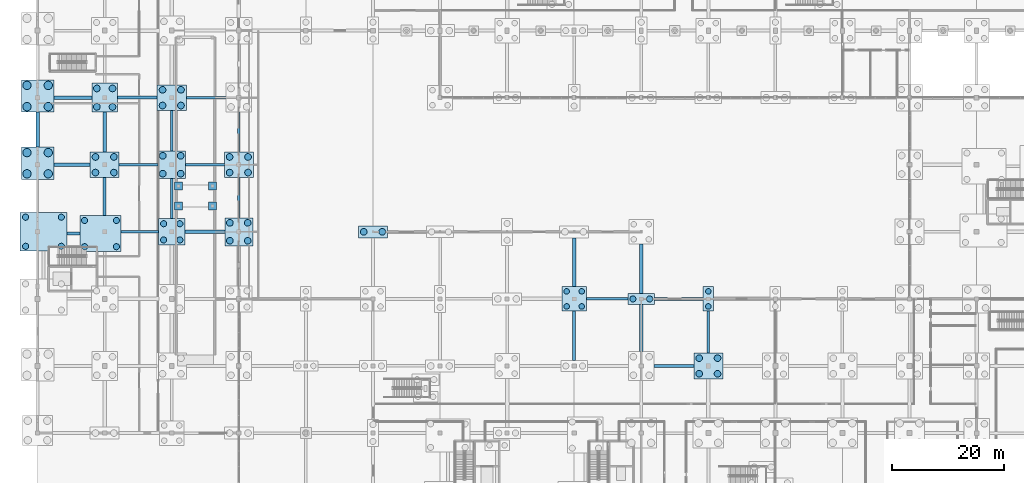
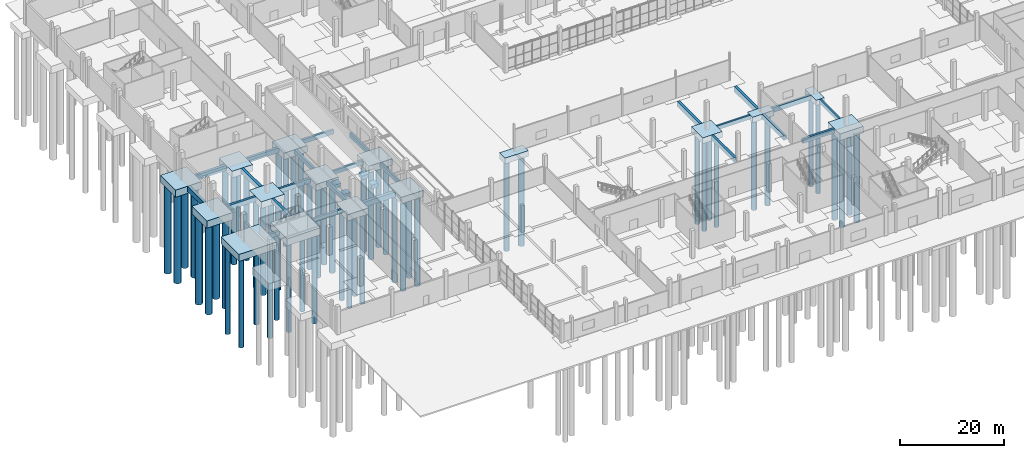
# One storey, part 4 of 117: 58 piles, 44 footings.
"""IFC4 building model written with IfcOpenShell, lengths in metres."""

from ifc_helpers import new_model, si_unit, direction, frame, origin, origin_2d, place, context, subcontext, project, spatial, rectangle, circle, extrude, material, material_profile, profile_set, type_object, element, save


model = new_model("IFC4")

# Units and contexts
model_context = context("Model", 3, precision=1e-05, world=origin(), true_north=direction((0.0, 1.0)))
body_context = subcontext(model_context, "Body", "Model", "MODEL_VIEW")
ifc_project = project(units=[si_unit("LENGTHUNIT", "METRE"), si_unit("AREAUNIT", "SQUARE_METRE"), si_unit("VOLUMEUNIT", "CUBIC_METRE"), si_unit("PLANEANGLEUNIT", "RADIAN"), si_unit("MASSUNIT", "GRAM", prefix="KILO")], contexts=[model_context])

# Site, building, storey
site_placement = place(None, origin())
site = spatial("IfcSite", under=ifc_project, at=site_placement, CompositionType="ELEMENT")
building_placement = place(site_placement, origin())
building = spatial("IfcBuilding", under=site, at=building_placement, Name="Kamomehara Wholesale Market", CompositionType="ELEMENT")
storey_placement = place(building_placement, origin())
storey = spatial("IfcBuildingStorey", under=building, at=storey_placement, Name="L00", CompositionType="ELEMENT", Elevation=0.0)

# Footings
ifc_material_1 = material(Name="Concrete Fc30 (C30/37)", Category="concrete")
footing_type_1 = type_object("IfcFootingType", Name="CAP-2PX-4800", PredefinedType="PILE_CAP", material=ifc_material_1)
footing_1_placement = place(storey_placement, frame((108.0, 60.0, -1.2998046875), z_axis=(0.0, 0.0, 1.0), x_axis=(1.0, 0.0, 0.0)))
element("IfcFooting", 1, at=footing_1_placement, inside=storey, type_object=footing_type_1, Name="Pile cap PC-06", PredefinedType="PILE_CAP", context=body_context, shape_type="SweptSolid", body=[
    extrude(rectangle(XDim=4.800048828125, YDim=2.0, at=origin_2d()), origin(), (0.0, 0.0, 1.0), 1.300048828125),
])
ifc_material_2 = material(Name="Concrete Fc30 (C30/37)", Category="concrete")
footing_type_2 = type_object("IfcFootingType", Name="CAP-2PX-5200", PredefinedType="PILE_CAP", material=ifc_material_2)
footing_2_placement = place(storey_placement, frame((60.0, 72.0, -1.35009765625), z_axis=(0.0, 0.0, 1.0), x_axis=(1.0, 0.0, 0.0)))
element("IfcFooting", 2, at=footing_2_placement, inside=storey, type_object=footing_type_2, Name="Pile cap PC-08", PredefinedType="PILE_CAP", context=body_context, shape_type="SweptSolid", body=[
    extrude(rectangle(XDim=5.199951171875, YDim=2.14990234375, at=origin_2d()), origin(), (0.0, 0.0, 1.0), 1.35009765625),
])
ifc_material_3 = material(Name="Concrete Fc30 (C30/37)", Category="concrete")
footing_type_3 = type_object("IfcFootingType", Name="CAP-2PY-4400", PredefinedType="PILE_CAP", material=ifc_material_3)
footing_3_placement = place(storey_placement, frame((120.0, 60.0, -1.25), z_axis=(0.0, 0.0, 1.0), x_axis=(1.0, 0.0, 0.0)))
element("IfcFooting", 3, at=footing_3_placement, inside=storey, type_object=footing_type_3, Name="Pile cap PC-05", PredefinedType="PILE_CAP", context=body_context, shape_type="SweptSolid", body=[
    extrude(rectangle(XDim=1.85009765625, YDim=4.39990234375, at=origin_2d()), origin(), (0.0, 0.0, 1.0), 1.25),
])
ifc_material_4 = material(Name="Concrete Fc30 (C30/37)", Category="concrete")
footing_type_4 = type_object("IfcFootingType", Name="CAP-4P-4400", PredefinedType="PILE_CAP", material=ifc_material_4)
footing_4_placement = place(storey_placement, frame((96.0, 60.0, -1.39990234375), z_axis=(0.0, 0.0, 1.0), x_axis=(1.0, 0.0, 0.0)))
element("IfcFooting", 4, at=footing_4_placement, inside=storey, type_object=footing_type_4, Name="Pile cap PC-10", PredefinedType="PILE_CAP", context=body_context, shape_type="SweptSolid", body=[
    extrude(rectangle(XDim=4.39990234375, YDim=4.39990234375, at=origin_2d()), origin(), (0.0, 0.0, 1.0), 1.39990234375),
])
ifc_material_5 = material(Name="Concrete Fc30 (C30/37)", Category="concrete")
footing_type_5 = type_object("IfcFootingType", Name="CAP-4P-4700", PredefinedType="PILE_CAP", material=ifc_material_5)
footing_5_placement = place(storey_placement, frame((24.0, 72.0, -1.4501953125), z_axis=(0.0, 0.0, 1.0), x_axis=(1.0, 0.0, 0.0)))
element("IfcFooting", 5, at=footing_5_placement, inside=storey, type_object=footing_type_5, Name="Pile cap PC-11", PredefinedType="PILE_CAP", context=body_context, shape_type="SweptSolid", body=[
    extrude(rectangle(XDim=4.699951171875, YDim=4.699951171875, at=origin_2d()), origin(), (0.0, 0.0, 1.0), 1.449951171875),
])
ifc_material_6 = material(Name="Concrete Fc30 (C30/37)", Category="concrete")
footing_type_6 = type_object("IfcFootingType", Name="CAP-4P-5000", PredefinedType="PILE_CAP", material=ifc_material_6)
for number, where, z_axis, x_axis, name in (
    (6, (24.0, 84.0, -1.5), (0.0, 0.0, 1.0), (1.0, 0.0, 0.0), "Pile cap PC-12"),
    (7, (36.0, 72.0, -1.5), (0.0, 0.0, 1.0), (1.0, 0.0, 0.0), "Pile cap PC-12"),
):
    element("IfcFooting", number, at=place(storey_placement, frame(where, z_axis=z_axis, x_axis=x_axis)), inside=storey, type_object=footing_type_6, Name=name, PredefinedType="PILE_CAP", context=body_context, shape_type="SweptSolid", body=[
        extrude(rectangle(XDim=5.0, YDim=5.0, at=origin_2d()), origin(), (0.0, 0.0, 1.0), 1.5),
    ])
ifc_material_7 = material(Name="Concrete Fc30 (C30/37)", Category="concrete")
footing_type_7 = type_object("IfcFootingType", Name="CAP-4P-5800", PredefinedType="PILE_CAP", material=ifc_material_7)
for number, where, z_axis, x_axis, name in (
    (8, (0.0, 84.27490234375, -1.7001953125), (0.0, 0.0, 1.0), (1.0, 0.0, 0.0), "Pile cap PC-14"),
    (9, (0.0, 96.300048828125, -1.7001953125), (0.0, 0.0, 1.0), (1.0, 0.0, 0.0), "Pile cap PC-14"),
):
    element("IfcFooting", number, at=place(storey_placement, frame(where, z_axis=z_axis, x_axis=x_axis)), inside=storey, type_object=footing_type_7, Name=name, PredefinedType="PILE_CAP", context=body_context, shape_type="SweptSolid", body=[
        extrude(rectangle(XDim=5.800048828125, YDim=5.800048828125, at=origin_2d()), origin(), (0.0, 0.0, 1.0), 1.699951171875),
    ])
ifc_material_8 = material(Name="Concrete Fc30 (C30/37)", Category="concrete")
footing_type_8 = type_object("IfcFootingType", Name="CAP-4PR-4600", PredefinedType="PILE_CAP", material=ifc_material_8)
footing_6_placement = place(storey_placement, frame((12.0, 96.0, -1.5498046875), z_axis=(0.0, 0.0, 1.0), x_axis=(1.0, 0.0, 0.0)))
element("IfcFooting", 10, at=footing_6_placement, inside=storey, type_object=footing_type_8, Name="Pile cap PC-16", PredefinedType="PILE_CAP", context=body_context, shape_type="SweptSolid", body=[
    extrude(rectangle(XDim=4.60009765625, YDim=5.199951171875, at=origin_2d()), origin(), (0.0, 0.0, 1.0), 1.550048828125),
])
ifc_material_9 = material(Name="Concrete Fc30 (C30/37)", Category="concrete")
footing_type_9 = type_object("IfcFootingType", Name="CAP-4PR-5200", PredefinedType="PILE_CAP", material=ifc_material_9)
for number, where, z_axis, x_axis, name in (
    (11, (12.0, 84.0, -1.5498046875), (0.0, 0.0, 1.0), (1.0, 0.0, 0.0), "Pile cap PC-15"),
    (12, (24.0, 96.0, -1.5498046875), (0.0, 0.0, 1.0), (1.0, 0.0, 0.0), "Pile cap PC-15"),
    (13, (36.0, 84.0, -1.5498046875), (0.0, 0.0, 1.0), (1.0, 0.0, 0.0), "Pile cap PC-15"),
    (14, (120.0, 48.0, -1.5498046875), (0.0, 0.0, 1.0), (1.0, 0.0, 0.0), "Pile cap PC-15"),
):
    element("IfcFooting", number, at=place(storey_placement, frame(where, z_axis=z_axis, x_axis=x_axis)), inside=storey, type_object=footing_type_9, Name=name, PredefinedType="PILE_CAP", context=body_context, shape_type="SweptSolid", body=[
        extrude(rectangle(XDim=5.199951171875, YDim=4.60009765625, at=origin_2d()), origin(), (0.0, 0.0, 1.0), 1.550048828125),
    ])
ifc_material_10 = material(Name="Concrete Fc30 (C30/37)", Category="concrete")
footing_type_10 = type_object("IfcFootingType", Name="CAP-CMB-740x640", PredefinedType="PILE_CAP", material=ifc_material_10)
footing_7_placement = place(storey_placement, frame((11.25, 71.68798828125, -1.64990234375), z_axis=(0.0, 0.0, 1.0), x_axis=(1.0, 0.0, 0.0)))
element("IfcFooting", 15, at=footing_7_placement, inside=storey, type_object=footing_type_10, Name="Pile cap PCC-74x64", PredefinedType="PILE_CAP", context=body_context, shape_type="SweptSolid", body=[
    extrude(rectangle(XDim=7.39990234375, YDim=6.39990234375, at=origin_2d()), origin(), (0.0, 0.0, 1.0), 1.64990234375),
])
ifc_material_11 = material(Name="Concrete Fc30 (C30/37)", Category="concrete")
footing_type_11 = type_object("IfcFootingType", Name="CAP-CMB-840x690", PredefinedType="PILE_CAP", material=ifc_material_11)
footing_8_placement = place(storey_placement, frame((1.050048828125, 72.01904296875, -1.64990234375), z_axis=(0.0, 0.0, 1.0), x_axis=(1.0, 0.0, 0.0)))
element("IfcFooting", 16, at=footing_8_placement, inside=storey, type_object=footing_type_11, Name="Pile cap PCC-84x69", PredefinedType="PILE_CAP", context=body_context, shape_type="SweptSolid", body=[
    extrude(rectangle(XDim=8.39990234375, YDim=6.89990234375, at=origin_2d()), origin(), (0.0, 0.0, 1.0), 1.64990234375),
])
ifc_material_12 = material(Name="Concrete Fc30 (C30/37)", Category="concrete")
ifc_material_profile_1 = material_profile(ifc_material_12, rectangle(XDim=0.449951171875, YDim=0.89990234375, at=origin_2d()), Name="RC-FTB-450x900")
ifc_profile_set_1 = profile_set([ifc_material_profile_1], Name="Concrete Fc30 (C30/37)")
footing_type_12 = type_object("IfcFootingType", Name="FTB-450x900", PredefinedType="FOOTING_BEAM", material=ifc_profile_set_1)
footing_9_placement = place(storey_placement, frame((14.951904296875, 72.0, -0.449951171875), z_axis=(1.0, 0.0, 0.0), x_axis=(0.0, 1.0, 0.0)))
element("IfcFooting", 17, at=footing_9_placement, inside=storey, type_object=footing_type_12, Name="Foundation tie beam 15", PredefinedType="FOOTING_BEAM", context=body_context, shape_type="SweptSolid", body=[
    extrude(rectangle(XDim=0.449951171875, YDim=0.89990234375, at=origin_2d()), origin(), (0.0, 0.0, 1.0), 6.696044921875),
])
footing_10_placement = place(storey_placement, frame((26.501953125, 84.0, -0.449951171875), z_axis=(1.0, 0.0, 0.0), x_axis=(0.0, 1.0, 0.0)))
element("IfcFooting", 18, at=footing_10_placement, inside=storey, type_object=footing_type_12, Name="Foundation tie beam 27", PredefinedType="FOOTING_BEAM", context=body_context, shape_type="SweptSolid", body=[
    extrude(rectangle(XDim=0.449951171875, YDim=0.89990234375, at=origin_2d()), origin(), (0.0, 0.0, 1.0), 6.89599609375),
])
footing_11_placement = place(storey_placement, frame((98.201904296875, 60.0, -0.449951171875), z_axis=(1.0, 0.0, 0.0), x_axis=(0.0, 1.0, 0.0)))
element("IfcFooting", 19, at=footing_11_placement, inside=storey, type_object=footing_type_12, Name="Foundation tie beam 95", PredefinedType="FOOTING_BEAM", context=body_context, shape_type="SweptSolid", body=[
    extrude(rectangle(XDim=0.449951171875, YDim=0.89990234375, at=origin_2d()), origin(), (0.0, 0.0, 1.0), 7.39599609375),
])
footing_12_placement = place(storey_placement, frame((24.0, 74.35205078125, -0.449951171875), z_axis=(0.0, 1.0, 0.0), x_axis=(-1.0, 0.0, 0.0)))
element("IfcFooting", 20, at=footing_12_placement, inside=storey, type_object=footing_type_12, Name="Foundation tie beam 223", PredefinedType="FOOTING_BEAM", context=body_context, shape_type="SweptSolid", body=[
    extrude(rectangle(XDim=0.449951171875, YDim=0.89990234375, at=origin_2d()), origin(), (0.0, 0.0, 1.0), 7.14599609375),
])
footing_13_placement = place(storey_placement, frame((36.0, 74.501953125, -0.449951171875), z_axis=(0.0, 1.0, 0.0), x_axis=(-1.0, 0.0, 0.0)))
element("IfcFooting", 21, at=footing_13_placement, inside=storey, type_object=footing_type_12, Name="Foundation tie beam 235", PredefinedType="FOOTING_BEAM", context=body_context, shape_type="SweptSolid", body=[
    extrude(rectangle(XDim=0.449951171875, YDim=0.89990234375, at=origin_2d()), origin(), (0.0, 0.0, 1.0), 7.196044921875),
])
footing_14_placement = place(storey_placement, frame((120.0, 50.302001953125, -0.449951171875), z_axis=(0.0, 1.0, 0.0), x_axis=(-1.0, 0.0, 0.0)))
element("IfcFooting", 22, at=footing_14_placement, inside=storey, type_object=footing_type_12, Name="Foundation tie beam 295", PredefinedType="FOOTING_BEAM", context=body_context, shape_type="SweptSolid", body=[
    extrude(rectangle(XDim=0.449951171875, YDim=0.89990234375, at=origin_2d()), origin(), (0.0, 0.0, 1.0), 7.49609375),
])
ifc_material_13 = material(Name="Concrete Fc30 (C30/37)", Category="concrete")
ifc_material_profile_2 = material_profile(ifc_material_13, rectangle(XDim=0.5, YDim=1.0, at=origin_2d()), Name="RC-FTB-500x1000")
ifc_profile_set_2 = profile_set([ifc_material_profile_2], Name="Concrete Fc30 (C30/37)")
footing_type_13 = type_object("IfcFootingType", Name="FTB-500x1000", PredefinedType="FOOTING_BEAM", material=ifc_profile_set_2)
footing_15_placement = place(storey_placement, frame((5.251953125, 71.72802734375, -0.5), z_axis=(1.0, 0.0, 0.0), x_axis=(0.0, 1.0, 0.0)))
element("IfcFooting", 23, at=footing_15_placement, inside=storey, type_object=footing_type_13, Name="Foundation tie beam 4", PredefinedType="FOOTING_BEAM", context=body_context, shape_type="SweptSolid", body=[
    extrude(rectangle(XDim=0.5, YDim=1.0, at=origin_2d()), origin(), (0.0, 0.0, 1.0), 2.296142578125),
])
footing_16_placement = place(storey_placement, frame((14.60205078125, 84.0, -0.5), z_axis=(1.0, 0.0, 0.0), x_axis=(0.0, 1.0, 0.0)))
element("IfcFooting", 24, at=footing_16_placement, inside=storey, type_object=footing_type_13, Name="Foundation tie beam 16", PredefinedType="FOOTING_BEAM", context=body_context, shape_type="SweptSolid", body=[
    extrude(rectangle(XDim=0.5, YDim=1.0, at=origin_2d()), origin(), (0.0, 0.0, 1.0), 6.89599609375),
])
for number, where, z_axis, x_axis, name in (
    (25, (26.60205078125, 96.0, -0.5), (1.0, 0.0, 0.0), (0.0, 1.0, 0.0), "Foundation tie beam 28"),
    (26, (110.302001953125, 48.0, -0.5), (1.0, 0.0, 0.0), (0.0, 1.0, 0.0), "Foundation tie beam 108"),
):
    element("IfcFooting", number, at=place(storey_placement, frame(where, z_axis=z_axis, x_axis=x_axis)), inside=storey, type_object=footing_type_13, Name=name, PredefinedType="FOOTING_BEAM", context=body_context, shape_type="SweptSolid", body=[
        extrude(rectangle(XDim=0.5, YDim=1.0, at=origin_2d()), origin(), (0.0, 0.0, 1.0), 7.095947265625),
    ])
footing_17_placement = place(storey_placement, frame((24.0, 86.501953125, -0.5), z_axis=(0.0, 1.0, 0.0), x_axis=(-1.0, 0.0, 0.0)))
element("IfcFooting", 27, at=footing_17_placement, inside=storey, type_object=footing_type_13, Name="Foundation tie beam 224", PredefinedType="FOOTING_BEAM", context=body_context, shape_type="SweptSolid", body=[
    extrude(rectangle(XDim=0.5, YDim=1.0, at=origin_2d()), origin(), (0.0, 0.0, 1.0), 7.196044921875),
])
footing_18_placement = place(storey_placement, frame((36.0, 86.302001953125, -0.5), z_axis=(0.0, 1.0, 0.0), x_axis=(-1.0, 0.0, 0.0)))
element("IfcFooting", 28, at=footing_18_placement, inside=storey, type_object=footing_type_13, Name="Foundation tie beam 236", PredefinedType="FOOTING_BEAM", context=body_context, shape_type="SweptSolid", body=[
    extrude(rectangle(XDim=0.5, YDim=1.0, at=origin_2d()), origin(), (0.0, 0.0, 1.0), 7.095947265625),
])
ifc_material_14 = material(Name="Concrete Fc30 (C30/37)", Category="concrete")
ifc_material_profile_3 = material_profile(ifc_material_14, rectangle(XDim=0.550048828125, YDim=1.10009765625, at=origin_2d()), Name="RC-FTB-550x1100")
ifc_profile_set_3 = profile_set([ifc_material_profile_3], Name="Concrete Fc30 (C30/37)")
footing_type_14 = type_object("IfcFootingType", Name="FTB-550x1100", PredefinedType="FOOTING_BEAM", material=ifc_profile_set_3)
footing_19_placement = place(storey_placement, frame((2.902099609375, 84.0, -0.550048828125), z_axis=(1.0, 0.0, 0.0), x_axis=(0.0, 1.0, 0.0)))
element("IfcFooting", 29, at=footing_19_placement, inside=storey, type_object=footing_type_14, Name="Foundation tie beam 5", PredefinedType="FOOTING_BEAM", context=body_context, shape_type="SweptSolid", body=[
    extrude(rectangle(XDim=0.550048828125, YDim=1.10009765625, at=origin_2d()), origin(), (0.0, 0.0, 1.0), 6.495849609375),
])
footing_20_placement = place(storey_placement, frame((14.302001953125, 96.0, -0.550048828125), z_axis=(1.0, 0.0, 0.0), x_axis=(0.0, 1.0, 0.0)))
element("IfcFooting", 30, at=footing_20_placement, inside=storey, type_object=footing_type_14, Name="Foundation tie beam 17", PredefinedType="FOOTING_BEAM", context=body_context, shape_type="SweptSolid", body=[
    extrude(rectangle(XDim=0.550048828125, YDim=1.10009765625, at=origin_2d()), origin(), (0.0, 0.0, 1.0), 7.095947265625),
])
footing_21_placement = place(storey_placement, frame((110.402099609375, 60.0, -0.550048828125), z_axis=(1.0, 0.0, 0.0), x_axis=(0.0, 1.0, 0.0)))
element("IfcFooting", 31, at=footing_21_placement, inside=storey, type_object=footing_type_14, Name="Foundation tie beam 109", PredefinedType="FOOTING_BEAM", context=body_context, shape_type="SweptSolid", body=[
    extrude(rectangle(XDim=0.550048828125, YDim=1.10009765625, at=origin_2d()), origin(), (0.0, 0.0, 1.0), 8.6708984375),
])
footing_22_placement = place(storey_placement, frame((12.0, 74.889892578125, -0.550048828125), z_axis=(0.0, 1.0, 0.0), x_axis=(-1.0, 0.0, 0.0)))
element("IfcFooting", 32, at=footing_22_placement, inside=storey, type_object=footing_type_14, Name="Foundation tie beam 213", PredefinedType="FOOTING_BEAM", context=body_context, shape_type="SweptSolid", body=[
    extrude(rectangle(XDim=0.550048828125, YDim=1.10009765625, at=origin_2d()), origin(), (0.0, 0.0, 1.0), 6.80810546875),
])
footing_23_placement = place(storey_placement, frame((96.0, 49.001953125, -0.550048828125), z_axis=(0.0, 1.0, 0.0), x_axis=(-1.0, 0.0, 0.0)))
element("IfcFooting", 33, at=footing_23_placement, inside=storey, type_object=footing_type_14, Name="Foundation tie beam 277", PredefinedType="FOOTING_BEAM", context=body_context, shape_type="SweptSolid", body=[
    extrude(rectangle(XDim=0.550048828125, YDim=1.10009765625, at=origin_2d()), origin(), (0.0, 0.0, 1.0), 8.796142578125),
])
footing_24_placement = place(storey_placement, frame((108.0, 50.60205078125, -0.550048828125), z_axis=(0.0, 1.0, 0.0), x_axis=(-1.0, 0.0, 0.0)))
element("IfcFooting", 34, at=footing_24_placement, inside=storey, type_object=footing_type_14, Name="Foundation tie beam 285", PredefinedType="FOOTING_BEAM", context=body_context, shape_type="SweptSolid", body=[
    extrude(rectangle(XDim=0.550048828125, YDim=1.10009765625, at=origin_2d()), origin(), (0.0, 0.0, 1.0), 8.39599609375),
])
ifc_material_15 = material(Name="Concrete Fc30 (C30/37)", Category="concrete")
ifc_material_profile_4 = material_profile(ifc_material_15, rectangle(XDim=0.60009765625, YDim=1.199951171875, at=origin_2d()), Name="RC-FTB-600x1200")
ifc_profile_set_4 = profile_set([ifc_material_profile_4], Name="Concrete Fc30 (C30/37)")
footing_type_15 = type_object("IfcFootingType", Name="FTB-600x1200", PredefinedType="FOOTING_BEAM", material=ifc_profile_set_4)
footing_25_placement = place(storey_placement, frame((2.902099609375, 96.0, -0.60009765625), z_axis=(1.0, 0.0, 0.0), x_axis=(0.0, 1.0, 0.0)))
element("IfcFooting", 35, at=footing_25_placement, inside=storey, type_object=footing_type_15, Name="Foundation tie beam 6", PredefinedType="FOOTING_BEAM", context=body_context, shape_type="SweptSolid", body=[
    extrude(rectangle(XDim=0.60009765625, YDim=1.199951171875, at=origin_2d()), origin(), (0.0, 0.0, 1.0), 6.7958984375),
])
footing_26_placement = place(storey_placement, frame((26.35205078125, 72.0, -0.60009765625), z_axis=(1.0, 0.0, 0.0), x_axis=(0.0, 1.0, 0.0)))
element("IfcFooting", 36, at=footing_26_placement, inside=storey, type_object=footing_type_15, Name="Foundation tie beam 26", PredefinedType="FOOTING_BEAM", context=body_context, shape_type="SweptSolid", body=[
    extrude(rectangle(XDim=0.60009765625, YDim=1.199951171875, at=origin_2d()), origin(), (0.0, 0.0, 1.0), 7.14599609375),
])
footing_27_placement = place(storey_placement, frame((0.0, 87.177001953125, -0.60009765625), z_axis=(0.0, 1.0, 0.0), x_axis=(-1.0, 0.0, 0.0)))
element("IfcFooting", 37, at=footing_27_placement, inside=storey, type_object=footing_type_15, Name="Foundation tie beam 206", PredefinedType="FOOTING_BEAM", context=body_context, shape_type="SweptSolid", body=[
    extrude(rectangle(XDim=0.60009765625, YDim=1.199951171875, at=origin_2d()), origin(), (0.0, 0.0, 1.0), 6.220947265625),
])
footing_28_placement = place(storey_placement, frame((12.0, 86.302001953125, -0.60009765625), z_axis=(0.0, 1.0, 0.0), x_axis=(-1.0, 0.0, 0.0)))
element("IfcFooting", 38, at=footing_28_placement, inside=storey, type_object=footing_type_15, Name="Foundation tie beam 214", PredefinedType="FOOTING_BEAM", context=body_context, shape_type="SweptSolid", body=[
    extrude(rectangle(XDim=0.60009765625, YDim=1.199951171875, at=origin_2d()), origin(), (0.0, 0.0, 1.0), 7.095947265625),
])
footing_29_placement = place(storey_placement, frame((96.0, 62.201904296875, -0.60009765625), z_axis=(0.0, 1.0, 0.0), x_axis=(-1.0, 0.0, 0.0)))
element("IfcFooting", 39, at=footing_29_placement, inside=storey, type_object=footing_type_15, Name="Foundation tie beam 278", PredefinedType="FOOTING_BEAM", context=body_context, shape_type="SweptSolid", body=[
    extrude(rectangle(XDim=0.60009765625, YDim=1.199951171875, at=origin_2d()), origin(), (0.0, 0.0, 1.0), 8.72119140625),
])
footing_30_placement = place(storey_placement, frame((108.0, 61.001953125, -0.60009765625), z_axis=(0.0, 1.0, 0.0), x_axis=(-1.0, 0.0, 0.0)))
element("IfcFooting", 40, at=footing_30_placement, inside=storey, type_object=footing_type_15, Name="Foundation tie beam 286", PredefinedType="FOOTING_BEAM", context=body_context, shape_type="SweptSolid", body=[
    extrude(rectangle(XDim=0.60009765625, YDim=1.199951171875, at=origin_2d()), origin(), (0.0, 0.0, 1.0), 8.796142578125),
])
ifc_material_16 = material(Name="Concrete Fc30 (C30/37)", Category="concrete")
footing_type_16 = type_object("IfcFootingType", Name="PAD-COL-1400", PredefinedType="PAD_FOOTING", material=ifc_material_16)
for number, where, z_axis, x_axis, name in (
    (41, (25.199951171875, 76.60009765625, -0.89990234375), (0.0, 0.0, 1.0), (1.0, 0.0, 0.0), "Ramp landing column footing 25.76"),
    (42, (25.199951171875, 80.199951171875, -0.89990234375), (0.0, 0.0, 1.0), (1.0, 0.0, 0.0), "Ramp landing column footing 25.80"),
    (43, (31.300048828125, 76.60009765625, -0.89990234375), (0.0, 0.0, 1.0), (1.0, 0.0, 0.0), "Ramp landing column footing 31.76"),
    (44, (31.300048828125, 80.199951171875, -0.89990234375), (0.0, 0.0, 1.0), (1.0, 0.0, 0.0), "Ramp landing column footing 31.80"),
):
    element("IfcFooting", number, at=place(storey_placement, frame(where, z_axis=z_axis, x_axis=x_axis)), inside=storey, type_object=footing_type_16, Name=name, PredefinedType="PAD_FOOTING", context=body_context, shape_type="SweptSolid", body=[
        extrude(rectangle(XDim=1.39990234375, YDim=1.39990234375, at=origin_2d()), origin(), (0.0, 0.0, 1.0), 0.89990234375),
    ])

# Piles
ifc_material_17 = material(Name="Concrete Fc30 (C30/37)", Category="concrete")
ifc_material_profile_5 = material_profile(ifc_material_17, circle(Radius=0.5, at=origin_2d()), Name="RC-PILE-D1000")
ifc_profile_set_5 = profile_set([ifc_material_profile_5], Name="Concrete Fc30 (C30/37)")
pile_type_1 = type_object("IfcPileType", Name="PILE-D1000", PredefinedType="BORED", material=ifc_profile_set_5)
for number, where, z_axis, x_axis, name in (
    (45, (94.64990234375, 58.64990234375, -1.300048828125), (0.0, 0.0, -1.0), (1.0, 0.0, 0.0), "Bored pile 108.323"),
    (46, (97.35009765625, 58.64990234375, -1.300048828125), (0.0, 0.0, -1.0), (1.0, 0.0, 0.0), "Bored pile 108.324"),
    (47, (94.64990234375, 61.35009765625, -1.300048828125), (0.0, 0.0, -1.0), (1.0, 0.0, 0.0), "Bored pile 108.325"),
    (48, (97.35009765625, 61.35009765625, -1.300048828125), (0.0, 0.0, -1.0), (1.0, 0.0, 0.0), "Bored pile 108.326"),
):
    element("IfcPile", number, at=place(storey_placement, frame(where, z_axis=z_axis, x_axis=x_axis)), inside=storey, type_object=pile_type_1, Name=name, PredefinedType="BORED", context=body_context, shape_type="SweptSolid", body=[
        extrude(circle(Radius=0.5, at=origin_2d()), origin(), (0.0, 0.0, 1.0), 21.199951171875),
    ])
for number, where, z_axis, x_axis, name in (
    (49, (120.0, 58.64990234375, -1.14990234375), (0.0, 0.0, -1.0), (1.0, 0.0, 0.0), "Bored pile 136.393"),
    (50, (120.0, 61.35009765625, -1.14990234375), (0.0, 0.0, -1.0), (1.0, 0.0, 0.0), "Bored pile 136.394"),
):
    element("IfcPile", number, at=place(storey_placement, frame(where, z_axis=z_axis, x_axis=x_axis)), inside=storey, type_object=pile_type_1, Name=name, PredefinedType="BORED", context=body_context, shape_type="SweptSolid", body=[
        extrude(circle(Radius=0.5, at=origin_2d()), origin(), (0.0, 0.0, 1.0), 21.35009765625),
    ])
ifc_material_18 = material(Name="Concrete Fc30 (C30/37)", Category="concrete")
ifc_material_profile_6 = material_profile(ifc_material_18, circle(Radius=0.550048828125, at=origin_2d()), Name="RC-PILE-D1100")
ifc_profile_set_6 = profile_set([ifc_material_profile_6], Name="Concrete Fc30 (C30/37)")
pile_type_2 = type_object("IfcPileType", Name="PILE-D1100", PredefinedType="BORED", material=ifc_profile_set_6)
for number, where, z_axis, x_axis, name in (
    (51, (-2.14990234375, 69.4189453125, -1.550048828125), (0.0, 0.0, -1.0), (1.0, 0.0, 0.0), "Bored pile 4.13"),
    (52, (4.25, 69.4189453125, -1.550048828125), (0.0, 0.0, -1.0), (1.0, 0.0, 0.0), "Bored pile 4.14"),
    (53, (-2.14990234375, 74.618896484375, -1.550048828125), (0.0, 0.0, -1.0), (1.0, 0.0, 0.0), "Bored pile 4.15"),
    (54, (4.25, 74.618896484375, -1.550048828125), (0.0, 0.0, -1.0), (1.0, 0.0, 0.0), "Bored pile 4.16"),
    (55, (8.39990234375, 69.337890625, -1.550048828125), (0.0, 0.0, -1.0), (1.0, 0.0, 0.0), "Bored pile 15.55"),
    (56, (14.10009765625, 69.337890625, -1.550048828125), (0.0, 0.0, -1.0), (1.0, 0.0, 0.0), "Bored pile 15.56"),
    (57, (8.39990234375, 74.0380859375, -1.550048828125), (0.0, 0.0, -1.0), (1.0, 0.0, 0.0), "Bored pile 15.57"),
    (58, (14.10009765625, 74.0380859375, -1.550048828125), (0.0, 0.0, -1.0), (1.0, 0.0, 0.0), "Bored pile 15.58"),
):
    element("IfcPile", number, at=place(storey_placement, frame(where, z_axis=z_axis, x_axis=x_axis)), inside=storey, type_object=pile_type_2, Name=name, PredefinedType="BORED", context=body_context, shape_type="SweptSolid", body=[
        extrude(circle(Radius=0.550048828125, at=origin_2d()), origin(), (0.0, 0.0, 1.0), 20.949951171875),
    ])
for number, where, z_axis, x_axis, name in (
    (59, (22.550048828125, 70.550048828125, -1.35009765625), (0.0, 0.0, -1.0), (1.0, 0.0, 0.0), "Bored pile 26.97"),
    (60, (25.449951171875, 70.550048828125, -1.35009765625), (0.0, 0.0, -1.0), (1.0, 0.0, 0.0), "Bored pile 26.98"),
    (61, (22.550048828125, 73.449951171875, -1.35009765625), (0.0, 0.0, -1.0), (1.0, 0.0, 0.0), "Bored pile 26.99"),
    (62, (25.449951171875, 73.449951171875, -1.35009765625), (0.0, 0.0, -1.0), (1.0, 0.0, 0.0), "Bored pile 26.100"),
):
    element("IfcPile", number, at=place(storey_placement, frame(where, z_axis=z_axis, x_axis=x_axis)), inside=storey, type_object=pile_type_2, Name=name, PredefinedType="BORED", context=body_context, shape_type="SweptSolid", body=[
        extrude(circle(Radius=0.550048828125, at=origin_2d()), origin(), (0.0, 0.0, 1.0), 21.14990234375),
    ])
for number, where, z_axis, x_axis, name in (
    (63, (106.5, 60.0, -1.199951171875), (0.0, 0.0, -1.0), (1.0, 0.0, 0.0), "Bored pile 122.358"),
    (64, (109.5, 60.0, -1.199951171875), (0.0, 0.0, -1.0), (1.0, 0.0, 0.0), "Bored pile 122.359"),
):
    element("IfcPile", number, at=place(storey_placement, frame(where, z_axis=z_axis, x_axis=x_axis)), inside=storey, type_object=pile_type_2, Name=name, PredefinedType="BORED", context=body_context, shape_type="SweptSolid", body=[
        extrude(circle(Radius=0.550048828125, at=origin_2d()), origin(), (0.0, 0.0, 1.0), 21.300048828125),
    ])
ifc_material_19 = material(Name="Concrete Fc30 (C30/37)", Category="concrete")
ifc_material_profile_7 = material_profile(ifc_material_19, circle(Radius=0.60009765625, at=origin_2d()), Name="RC-PILE-D1200")
ifc_profile_set_7 = profile_set([ifc_material_profile_7], Name="Concrete Fc30 (C30/37)")
pile_type_3 = type_object("IfcPileType", Name="PILE-D1200", PredefinedType="BORED", material=ifc_profile_set_7)
for number, where, z_axis, x_axis, name in (
    (65, (10.35009765625, 82.60009765625, -1.449951171875), (0.0, 0.0, -1.0), (1.0, 0.0, 0.0), "Bored pile 16.59"),
    (66, (13.64990234375, 82.60009765625, -1.449951171875), (0.0, 0.0, -1.0), (1.0, 0.0, 0.0), "Bored pile 16.60"),
    (67, (10.35009765625, 85.39990234375, -1.449951171875), (0.0, 0.0, -1.0), (1.0, 0.0, 0.0), "Bored pile 16.61"),
    (68, (13.64990234375, 85.39990234375, -1.449951171875), (0.0, 0.0, -1.0), (1.0, 0.0, 0.0), "Bored pile 16.62"),
    (69, (10.60009765625, 94.35009765625, -1.449951171875), (0.0, 0.0, -1.0), (1.0, 0.0, 0.0), "Bored pile 17.63"),
    (70, (13.39990234375, 94.35009765625, -1.449951171875), (0.0, 0.0, -1.0), (1.0, 0.0, 0.0), "Bored pile 17.64"),
    (71, (10.60009765625, 97.64990234375, -1.449951171875), (0.0, 0.0, -1.0), (1.0, 0.0, 0.0), "Bored pile 17.65"),
    (72, (13.39990234375, 97.64990234375, -1.449951171875), (0.0, 0.0, -1.0), (1.0, 0.0, 0.0), "Bored pile 17.66"),
):
    element("IfcPile", number, at=place(storey_placement, frame(where, z_axis=z_axis, x_axis=x_axis)), inside=storey, type_object=pile_type_3, Name=name, PredefinedType="BORED", context=body_context, shape_type="SweptSolid", body=[
        extrude(circle(Radius=0.60009765625, at=origin_2d()), origin(), (0.0, 0.0, 1.0), 21.050048828125),
    ])
for number, where, z_axis, x_axis, name in (
    (73, (22.39990234375, 82.39990234375, -1.39990234375), (0.0, 0.0, -1.0), (1.0, 0.0, 0.0), "Bored pile 27.101"),
    (74, (25.60009765625, 82.39990234375, -1.39990234375), (0.0, 0.0, -1.0), (1.0, 0.0, 0.0), "Bored pile 27.102"),
    (75, (22.39990234375, 85.60009765625, -1.39990234375), (0.0, 0.0, -1.0), (1.0, 0.0, 0.0), "Bored pile 27.103"),
    (76, (25.60009765625, 85.60009765625, -1.39990234375), (0.0, 0.0, -1.0), (1.0, 0.0, 0.0), "Bored pile 27.104"),
):
    element("IfcPile", number, at=place(storey_placement, frame(where, z_axis=z_axis, x_axis=x_axis)), inside=storey, type_object=pile_type_3, Name=name, PredefinedType="BORED", context=body_context, shape_type="SweptSolid", body=[
        extrude(circle(Radius=0.60009765625, at=origin_2d()), origin(), (0.0, 0.0, 1.0), 21.10009765625),
    ])
for number, where, z_axis, x_axis, name in (
    (77, (22.35009765625, 94.60009765625, -1.449951171875), (0.0, 0.0, -1.0), (1.0, 0.0, 0.0), "Bored pile 28.105"),
    (78, (25.64990234375, 94.60009765625, -1.449951171875), (0.0, 0.0, -1.0), (1.0, 0.0, 0.0), "Bored pile 28.106"),
    (79, (22.35009765625, 97.39990234375, -1.449951171875), (0.0, 0.0, -1.0), (1.0, 0.0, 0.0), "Bored pile 28.107"),
    (80, (25.64990234375, 97.39990234375, -1.449951171875), (0.0, 0.0, -1.0), (1.0, 0.0, 0.0), "Bored pile 28.108"),
):
    element("IfcPile", number, at=place(storey_placement, frame(where, z_axis=z_axis, x_axis=x_axis)), inside=storey, type_object=pile_type_3, Name=name, PredefinedType="BORED", context=body_context, shape_type="SweptSolid", body=[
        extrude(circle(Radius=0.60009765625, at=origin_2d()), origin(), (0.0, 0.0, 1.0), 21.050048828125),
    ])
for number, where, z_axis, x_axis, name in (
    (81, (34.39990234375, 70.39990234375, -1.39990234375), (0.0, 0.0, -1.0), (1.0, 0.0, 0.0), "Bored pile 39.140"),
    (82, (37.60009765625, 70.39990234375, -1.39990234375), (0.0, 0.0, -1.0), (1.0, 0.0, 0.0), "Bored pile 39.141"),
    (83, (34.39990234375, 73.60009765625, -1.39990234375), (0.0, 0.0, -1.0), (1.0, 0.0, 0.0), "Bored pile 39.142"),
    (84, (37.60009765625, 73.60009765625, -1.39990234375), (0.0, 0.0, -1.0), (1.0, 0.0, 0.0), "Bored pile 39.143"),
):
    element("IfcPile", number, at=place(storey_placement, frame(where, z_axis=z_axis, x_axis=x_axis)), inside=storey, type_object=pile_type_3, Name=name, PredefinedType="BORED", context=body_context, shape_type="SweptSolid", body=[
        extrude(circle(Radius=0.60009765625, at=origin_2d()), origin(), (0.0, 0.0, 1.0), 21.10009765625),
    ])
for number, where, z_axis, x_axis, name in (
    (85, (34.35009765625, 82.60009765625, -1.449951171875), (0.0, 0.0, -1.0), (1.0, 0.0, 0.0), "Bored pile 40.144"),
    (86, (37.64990234375, 82.60009765625, -1.449951171875), (0.0, 0.0, -1.0), (1.0, 0.0, 0.0), "Bored pile 40.145"),
    (87, (34.35009765625, 85.39990234375, -1.449951171875), (0.0, 0.0, -1.0), (1.0, 0.0, 0.0), "Bored pile 40.146"),
    (88, (37.64990234375, 85.39990234375, -1.449951171875), (0.0, 0.0, -1.0), (1.0, 0.0, 0.0), "Bored pile 40.147"),
):
    element("IfcPile", number, at=place(storey_placement, frame(where, z_axis=z_axis, x_axis=x_axis)), inside=storey, type_object=pile_type_3, Name=name, PredefinedType="BORED", context=body_context, shape_type="SweptSolid", body=[
        extrude(circle(Radius=0.60009765625, at=origin_2d()), origin(), (0.0, 0.0, 1.0), 21.050048828125),
    ])
for number, where, z_axis, x_axis, name in (
    (89, (58.35009765625, 72.0, -1.25), (0.0, 0.0, -1.0), (1.0, 0.0, 0.0), "Bored pile 63.211"),
    (90, (61.64990234375, 72.0, -1.25), (0.0, 0.0, -1.0), (1.0, 0.0, 0.0), "Bored pile 63.212"),
):
    element("IfcPile", number, at=place(storey_placement, frame(where, z_axis=z_axis, x_axis=x_axis)), inside=storey, type_object=pile_type_3, Name=name, PredefinedType="BORED", context=body_context, shape_type="SweptSolid", body=[
        extrude(circle(Radius=0.60009765625, at=origin_2d()), origin(), (0.0, 0.0, 1.0), 21.25),
    ])
for number, where, z_axis, x_axis, name in (
    (91, (118.35009765625, 46.60009765625, -1.449951171875), (0.0, 0.0, -1.0), (1.0, 0.0, 0.0), "Bored pile 135.389"),
    (92, (121.64990234375, 46.60009765625, -1.449951171875), (0.0, 0.0, -1.0), (1.0, 0.0, 0.0), "Bored pile 135.390"),
    (93, (118.35009765625, 49.39990234375, -1.449951171875), (0.0, 0.0, -1.0), (1.0, 0.0, 0.0), "Bored pile 135.391"),
    (94, (121.64990234375, 49.39990234375, -1.449951171875), (0.0, 0.0, -1.0), (1.0, 0.0, 0.0), "Bored pile 135.392"),
):
    element("IfcPile", number, at=place(storey_placement, frame(where, z_axis=z_axis, x_axis=x_axis)), inside=storey, type_object=pile_type_3, Name=name, PredefinedType="BORED", context=body_context, shape_type="SweptSolid", body=[
        extrude(circle(Radius=0.60009765625, at=origin_2d()), origin(), (0.0, 0.0, 1.0), 21.050048828125),
    ])
ifc_material_20 = material(Name="Concrete Fc30 (C30/37)", Category="concrete")
ifc_material_profile_8 = material_profile(ifc_material_20, circle(Radius=0.75, at=origin_2d()), Name="RC-PILE-D1500")
ifc_profile_set_8 = profile_set([ifc_material_profile_8], Name="Concrete Fc30 (C30/37)")
pile_type_4 = type_object("IfcPileType", Name="PILE-D1500", PredefinedType="BORED", material=ifc_profile_set_8)
for number, where, z_axis, x_axis, name in (
    (95, (-1.89990234375, 82.375, -1.60009765625), (0.0, 0.0, -1.0), (1.0, 0.0, 0.0), "Bored pile 5.17"),
    (96, (1.89990234375, 82.375, -1.60009765625), (0.0, 0.0, -1.0), (1.0, 0.0, 0.0), "Bored pile 5.18"),
    (97, (-1.89990234375, 86.175048828125, -1.60009765625), (0.0, 0.0, -1.0), (1.0, 0.0, 0.0), "Bored pile 5.19"),
    (98, (1.89990234375, 86.175048828125, -1.60009765625), (0.0, 0.0, -1.0), (1.0, 0.0, 0.0), "Bored pile 5.20"),
    (99, (-1.89990234375, 94.39990234375, -1.60009765625), (0.0, 0.0, -1.0), (1.0, 0.0, 0.0), "Bored pile 6.21"),
    (100, (1.89990234375, 94.39990234375, -1.60009765625), (0.0, 0.0, -1.0), (1.0, 0.0, 0.0), "Bored pile 6.22"),
    (101, (-1.89990234375, 98.199951171875, -1.60009765625), (0.0, 0.0, -1.0), (1.0, 0.0, 0.0), "Bored pile 6.23"),
    (102, (1.89990234375, 98.199951171875, -1.60009765625), (0.0, 0.0, -1.0), (1.0, 0.0, 0.0), "Bored pile 6.24"),
):
    element("IfcPile", number, at=place(storey_placement, frame(where, z_axis=z_axis, x_axis=x_axis)), inside=storey, type_object=pile_type_4, Name=name, PredefinedType="BORED", context=body_context, shape_type="SweptSolid", body=[
        extrude(circle(Radius=0.75, at=origin_2d()), origin(), (0.0, 0.0, 1.0), 20.89990234375),
    ])

save(model, "model.ifc")
